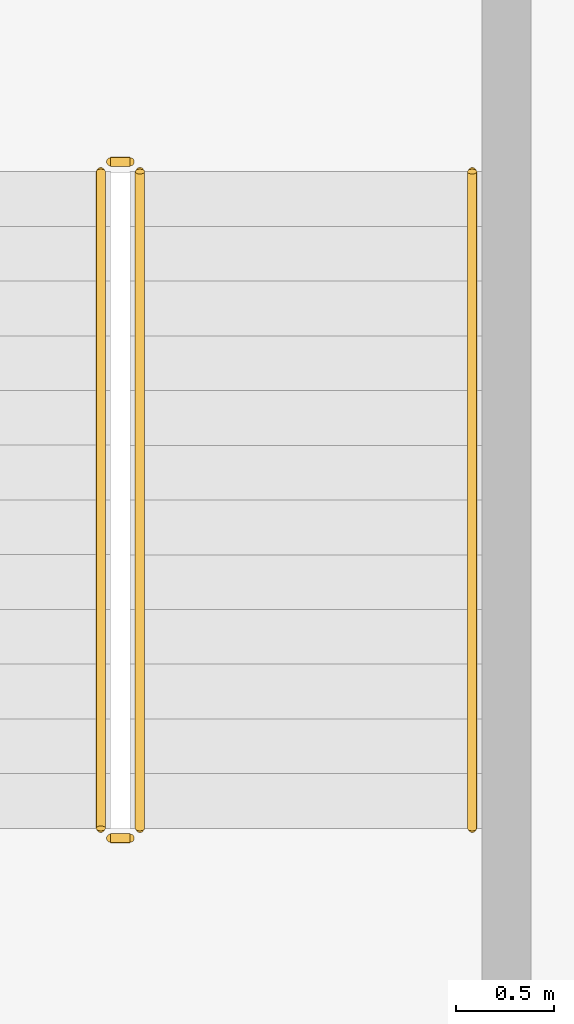
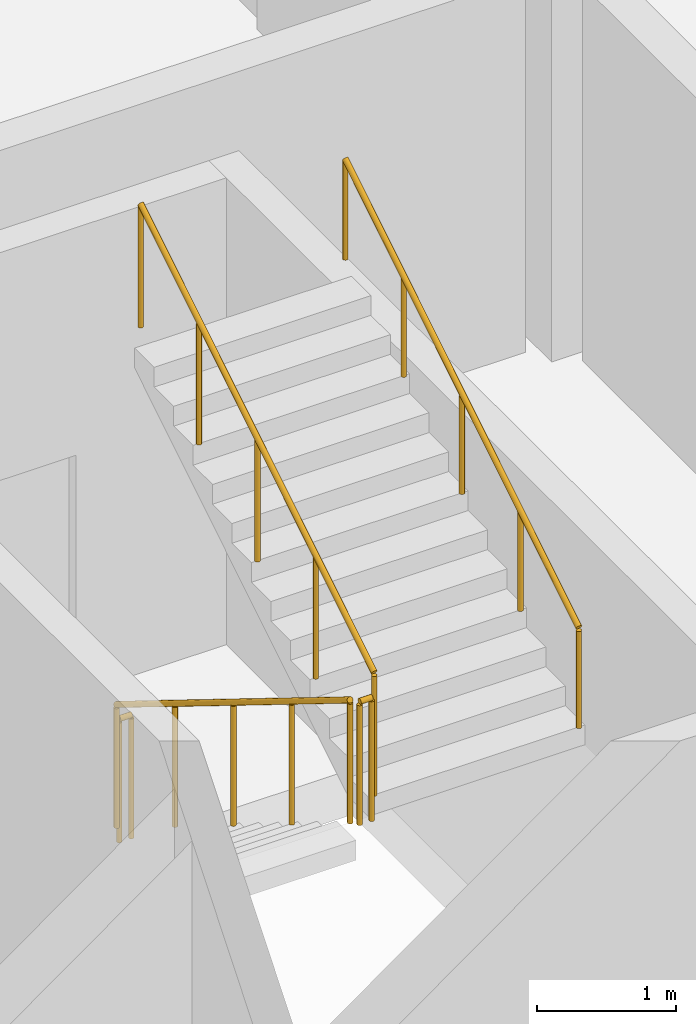
# One storey, part 30 of 36: 5 railings.
"""IFC4 building model written with IfcOpenShell, lengths in metres."""

from ifc_helpers import new_model, si_unit, direction, frame, origin, origin_2d, place, context, subcontext, project, spatial, circle, extrude, material, type_object, element, save


model = new_model("IFC4")

# Units and contexts
model_context = context("Model", 3, precision=1e-05, world=origin(), true_north=direction((0.0, 1.0)))
body_context = subcontext(model_context, "Body", "Model", "MODEL_VIEW")
ifc_project = project(units=[si_unit("LENGTHUNIT", "METRE"), si_unit("AREAUNIT", "SQUARE_METRE"), si_unit("VOLUMEUNIT", "CUBIC_METRE"), si_unit("PLANEANGLEUNIT", "RADIAN"), si_unit("MASSUNIT", "GRAM", prefix="KILO")], contexts=[model_context])

# Site, building, storey
site_placement = place(None, origin())
site = spatial("IfcSite", under=ifc_project, at=site_placement, CompositionType="ELEMENT")
building_placement = place(site_placement, origin())
building = spatial("IfcBuilding", under=site, at=building_placement, Name="Kilnfold Tower and Market Hall", CompositionType="ELEMENT")
storey_placement = place(building_placement, frame((0.0, 0.0, 18.0)))
storey = spatial("IfcBuildingStorey", under=building, at=storey_placement, Name="L03", CompositionType="ELEMENT", Elevation=18.0)

# Railings
ifc_material_1 = material(Name="Steel S355", Category="steel")
railing_type_1 = type_object("IfcRailingType", Name="HALL STAIR GUARD 1100", PredefinedType="GUARDRAIL", material=ifc_material_1)
railing_1_placement = place(storey_placement, frame((-48.75, 13.300048828125, 0.173095703125)))
element("IfcRailing", 1, at=railing_1_placement, inside=storey, type_object=railing_type_1, Name="L03 MS2 stair guard 1", PredefinedType="GUARDRAIL", context=body_context, shape_type="SweptSolid", body=[
    extrude(circle(Radius=0.02392578125, at=origin_2d()), frame((0.0, 0.0, 1.076171875), z_axis=(0.0, -0.850623216509, 0.525775754039), x_axis=(1.0, 0.0, 0.0)), (0.0, 0.0, 1.0), 3.9501953125),
    extrude(circle(Radius=0.02099609375, at=origin_2d()), origin(), (0.0, 0.0, 1.0), 1.052001953125),
    extrude(circle(Radius=0.02099609375, at=origin_2d()), frame((0.0, -0.840087890625, 0.519287109375)), (0.0, 0.0, 1.0), 1.052001953125),
    extrude(circle(Radius=0.02099609375, at=origin_2d()), frame((0.0, -1.68017578125, 1.03857421875)), (0.0, 0.0, 1.0), 1.052001953125),
    extrude(circle(Radius=0.02099609375, at=origin_2d()), frame((0.0, -2.52001953125, 1.5576171875)), (0.0, 0.0, 1.0), 1.052001953125),
    extrude(circle(Radius=0.02099609375, at=origin_2d()), frame((0.0, -3.360107421875, 2.076904296875)), (0.0, 0.0, 1.0), 1.052001953125),
])
railing_2_placement = place(storey_placement, frame((-48.699951171875, 9.889892578125, 2.25)))
element("IfcRailing", 2, at=railing_2_placement, inside=storey, type_object=railing_type_1, Name="L03 MS2 stair guard 2", PredefinedType="GUARDRAIL", context=body_context, shape_type="SweptSolid", body=[
    extrude(circle(Radius=0.02392578125, at=origin_2d()), frame((0.0, 0.0, 1.076171875), z_axis=(1.0, 0.0, 0.0), x_axis=(0.0, 1.0, 0.0)), (0.0, 0.0, 1.0), 0.099853515625),
    extrude(circle(Radius=0.02099609375, at=origin_2d()), origin(), (0.0, 0.0, 1.0), 1.052001953125),
    extrude(circle(Radius=0.02099609375, at=origin_2d()), frame((0.099853515625, 0.0, 0.0)), (0.0, 0.0, 1.0), 1.052001953125),
])
railing_3_placement = place(storey_placement, frame((-48.550048828125, 9.93994140625, 2.423095703125)))
element("IfcRailing", 3, at=railing_3_placement, inside=storey, type_object=railing_type_1, Name="L03 MS2 stair guard 3", PredefinedType="GUARDRAIL", context=body_context, shape_type="SweptSolid", body=[
    extrude(circle(Radius=0.02392578125, at=origin_2d()), frame((0.0, 0.0, 1.076171875), z_axis=(0.0, 0.850623216509, 0.525775754039), x_axis=(-1.0, 0.0, 0.0)), (0.0, 0.0, 1.0), 3.9501953125),
    extrude(circle(Radius=0.02099609375, at=origin_2d()), origin(), (0.0, 0.0, 1.0), 1.052001953125),
    extrude(circle(Radius=0.02099609375, at=origin_2d()), frame((0.0, 0.840087890625, 0.519287109375)), (0.0, 0.0, 1.0), 1.052001953125),
    extrude(circle(Radius=0.02099609375, at=origin_2d()), frame((0.0, 1.68017578125, 1.03857421875)), (0.0, 0.0, 1.0), 1.052001953125),
    extrude(circle(Radius=0.02099609375, at=origin_2d()), frame((0.0, 2.52001953125, 1.5576171875)), (0.0, 0.0, 1.0), 1.052001953125),
    extrude(circle(Radius=0.02099609375, at=origin_2d()), frame((0.0, 3.360107421875, 2.076904296875)), (0.0, 0.0, 1.0), 1.052001953125),
])
railing_4_placement = place(storey_placement, frame((-48.699951171875, 13.35009765625, 0.0)))
element("IfcRailing", 4, at=railing_4_placement, inside=storey, type_object=railing_type_1, Name="L03 MS2 stair guard 4", PredefinedType="GUARDRAIL", context=body_context, shape_type="SweptSolid", body=[
    extrude(circle(Radius=0.02392578125, at=origin_2d()), frame((0.0, 0.0, 1.076171875), z_axis=(1.0, 0.0, 0.0), x_axis=(0.0, 1.0, 0.0)), (0.0, 0.0, 1.0), 0.099853515625),
    extrude(circle(Radius=0.02099609375, at=origin_2d()), origin(), (0.0, 0.0, 1.0), 1.052001953125),
    extrude(circle(Radius=0.02099609375, at=origin_2d()), frame((0.099853515625, 0.0, 0.0)), (0.0, 0.0, 1.0), 1.052001953125),
])
ifc_material_2 = material(Name="Steel S355", Category="steel")
railing_type_2 = type_object("IfcRailingType", Name="HALL STAIR HANDRAIL", PredefinedType="HANDRAIL", material=ifc_material_2)
railing_5_placement = place(storey_placement, frame((-46.85009765625, 9.93994140625, 2.423095703125)))
element("IfcRailing", 5, at=railing_5_placement, inside=storey, type_object=railing_type_2, Name="L03 MS2 stair handrail 2", PredefinedType="HANDRAIL", context=body_context, shape_type="SweptSolid", body=[
    extrude(circle(Radius=0.02392578125, at=origin_2d()), frame((0.0, 0.0, 0.8759765625), z_axis=(0.0, 0.850623216509, 0.525775754039), x_axis=(-1.0, 0.0, 0.0)), (0.0, 0.0, 1.0), 3.9501953125),
    extrude(circle(Radius=0.02099609375, at=origin_2d()), origin(), (0.0, 0.0, 1.0), 0.851806640625),
    extrude(circle(Radius=0.02099609375, at=origin_2d()), frame((0.0, 0.840087890625, 0.519287109375)), (0.0, 0.0, 1.0), 0.851806640625),
    extrude(circle(Radius=0.02099609375, at=origin_2d()), frame((0.0, 1.68017578125, 1.03857421875)), (0.0, 0.0, 1.0), 0.851806640625),
    extrude(circle(Radius=0.02099609375, at=origin_2d()), frame((0.0, 2.52001953125, 1.5576171875)), (0.0, 0.0, 1.0), 0.851806640625),
    extrude(circle(Radius=0.02099609375, at=origin_2d()), frame((0.0, 3.360107421875, 2.076904296875)), (0.0, 0.0, 1.0), 0.851806640625),
])

save(model, "model.ifc")
